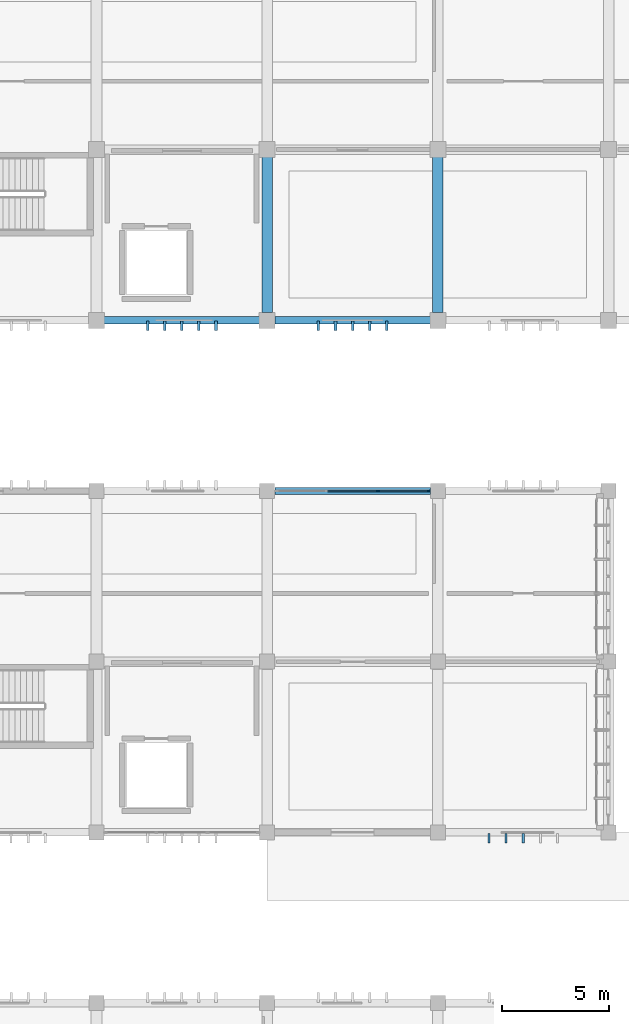
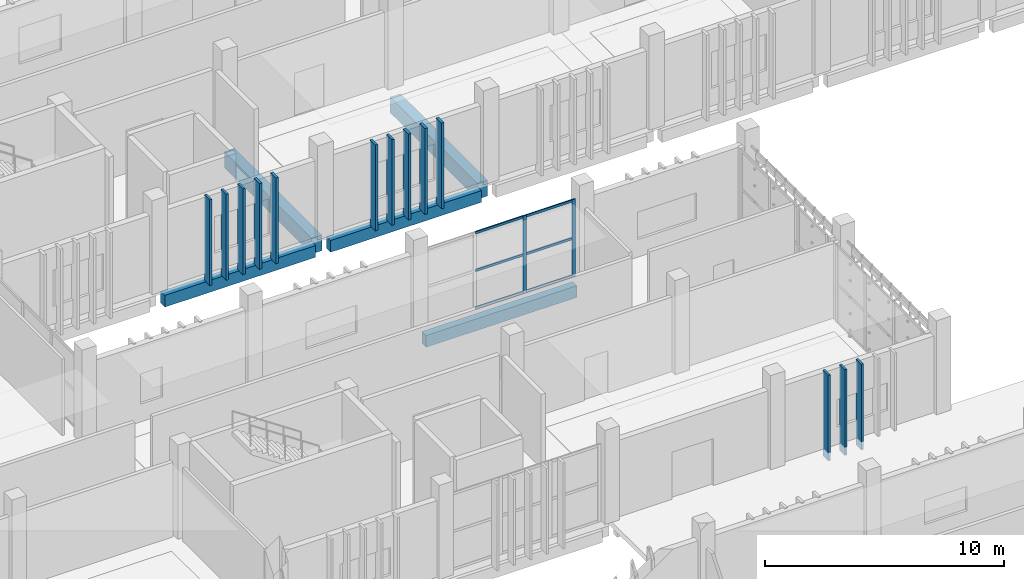
# One storey, part 43 of 117: 21 members, 5 beams, 1 element without a shape of its own.
"""IFC4 building model written with IfcOpenShell, lengths in metres."""

from ifc_helpers import new_model, si_unit, direction, frame, origin, origin_2d, place, context, subcontext, project, spatial, rectangle, extrude, material, layer, layer_set, material_profile, profile_set, type_object, element, aggregate, save


model = new_model("IFC4")

# Units and contexts
model_context = context("Model", 3, precision=1e-05, world=origin(), true_north=direction((0.0, 1.0)))
body_context = subcontext(model_context, "Body", "Model", "MODEL_VIEW")
ifc_project = project(units=[si_unit("LENGTHUNIT", "METRE"), si_unit("AREAUNIT", "SQUARE_METRE"), si_unit("VOLUMEUNIT", "CUBIC_METRE"), si_unit("PLANEANGLEUNIT", "RADIAN"), si_unit("MASSUNIT", "GRAM", prefix="KILO")], contexts=[model_context])

# Site, building, storey
site_placement = place(None, origin())
site = spatial("IfcSite", under=ifc_project, at=site_placement, CompositionType="ELEMENT")
building_placement = place(site_placement, origin())
building = spatial("IfcBuilding", under=site, at=building_placement, Name="Jelvoka-Kovrelna Polytechnic", CompositionType="ELEMENT")
storey_placement = place(building_placement, origin())
storey = spatial("IfcBuildingStorey", under=building, at=storey_placement, Name="L01", CompositionType="ELEMENT", Elevation=0.0)

# Beams
ifc_material_1 = material(Name="Concrete C40/50", Category="concrete")
ifc_material_profile_1 = material_profile(ifc_material_1, rectangle(XDim=0.5, YDim=0.800048828125, at=origin_2d()), Name="RC 500x800")
ifc_profile_set_1 = profile_set([ifc_material_profile_1], Name="Concrete C40/50")
beam_type_1 = type_object("IfcBeamType", Name="Beam_RC_500x800", PredefinedType="BEAM", material=ifc_profile_set_1)
for number, where, z_axis, x_axis, name in (
    (1, (96.0, 56.35498046875, -0.804931640625), (0.0, 1.0, 0.0), (-1.0, 0.0, 0.0), "L01 beam 0469"),
    (2, (104.0, 56.35498046875, -0.804931640625), (0.0, 1.0, 0.0), (-1.0, 0.0, 0.0), "L01 beam 0471"),
):
    element("IfcBeam", number, at=place(storey_placement, frame(where, z_axis=z_axis, x_axis=x_axis)), inside=storey, type_object=beam_type_1, Name=name, PredefinedType="BEAM", context=body_context, shape_type="SweptSolid", body=[
        extrude(rectangle(XDim=0.5, YDim=0.800048828125, at=origin_2d()), origin(), (0.0, 0.0, 1.0), 7.2900390625),
    ])

# Members
ifc_material_2 = material(Name="Precast concrete C40/50", Category="concrete")
ifc_material_profile_2 = material_profile(ifc_material_2, rectangle(XDim=0.10009765625, YDim=0.449951171875, at=origin_2d()), Name="PC 100x450")
ifc_profile_set_2 = profile_set([ifc_material_profile_2], Name="Precast concrete C40/50")
member_type_1 = type_object("IfcMemberType", Name="Louvre_Fin_100x450", PredefinedType="USERDEFINED", material=ifc_profile_set_2)
for number, where, z_axis, x_axis, name in (
    (3, (106.39990234375, 31.735107421875, -0.419921875), (0.0, 0.0, 1.0), (1.0, 0.0, 0.0), "L01 B2W south vertical solar louvre fin 0591"),
    (4, (107.199951171875, 31.735107421875, -0.419921875), (0.0, 0.0, 1.0), (1.0, 0.0, 0.0), "L01 B2W south vertical solar louvre fin 0592"),
    (5, (108.0, 31.735107421875, -0.419921875), (0.0, 0.0, 1.0), (1.0, 0.0, 0.0), "L01 B2W south vertical solar louvre fin 0593"),
):
    element("IfcMember", number, at=place(storey_placement, frame(where, z_axis=z_axis, x_axis=x_axis)), inside=storey, type_object=member_type_1, Name=name, ObjectType="SUNSHADE", PredefinedType="USERDEFINED", context=body_context, shape_type="SweptSolid", body=[
        extrude(rectangle(XDim=0.10009765625, YDim=0.449951171875, at=origin_2d()), origin(), (0.0, 0.0, 1.0), 4.3798828125),
    ])
ifc_material_3 = material(Name="Precast concrete C40/50", Category="concrete")
ifc_material_profile_3 = material_profile(ifc_material_3, rectangle(XDim=0.1201171875, YDim=0.449951171875, at=origin_2d()), Name="PC 120x450")
ifc_profile_set_3 = profile_set([ifc_material_profile_3], Name="Precast concrete C40/50")
member_type_2 = type_object("IfcMemberType", Name="Louvre_Fin_120x450", PredefinedType="USERDEFINED", material=ifc_profile_set_3)
for number, where, z_axis, x_axis, name in (
    (6, (90.39990234375, 55.735107421875, -0.419921875), (0.0, 0.0, 1.0), (1.0, 0.0, 0.0), "L01 B3 south vertical solar louvre fin 1221"),
    (7, (91.199951171875, 55.735107421875, -0.419921875), (0.0, 0.0, 1.0), (1.0, 0.0, 0.0), "L01 B3 south vertical solar louvre fin 1222"),
    (8, (92.0, 55.735107421875, -0.419921875), (0.0, 0.0, 1.0), (1.0, 0.0, 0.0), "L01 B3 south vertical solar louvre fin 1223"),
    (9, (92.800048828125, 55.735107421875, -0.419921875), (0.0, 0.0, 1.0), (1.0, 0.0, 0.0), "L01 B3 south vertical solar louvre fin 1224"),
    (10, (93.60009765625, 55.735107421875, -0.419921875), (0.0, 0.0, 1.0), (1.0, 0.0, 0.0), "L01 B3 south vertical solar louvre fin 1225"),
    (11, (98.39990234375, 55.735107421875, -0.419921875), (0.0, 0.0, 1.0), (1.0, 0.0, 0.0), "L01 B3 south vertical solar louvre fin 1231"),
    (12, (99.199951171875, 55.735107421875, -0.419921875), (0.0, 0.0, 1.0), (1.0, 0.0, 0.0), "L01 B3 south vertical solar louvre fin 1232"),
    (13, (100.0, 55.735107421875, -0.419921875), (0.0, 0.0, 1.0), (1.0, 0.0, 0.0), "L01 B3 south vertical solar louvre fin 1233"),
    (14, (100.800048828125, 55.735107421875, -0.419921875), (0.0, 0.0, 1.0), (1.0, 0.0, 0.0), "L01 B3 south vertical solar louvre fin 1234"),
    (15, (101.60009765625, 55.735107421875, -0.419921875), (0.0, 0.0, 1.0), (1.0, 0.0, 0.0), "L01 B3 south vertical solar louvre fin 1235"),
):
    element("IfcMember", number, at=place(storey_placement, frame(where, z_axis=z_axis, x_axis=x_axis)), inside=storey, type_object=member_type_2, Name=name, ObjectType="SUNSHADE", PredefinedType="USERDEFINED", context=body_context, shape_type="SweptSolid", body=[
        extrude(rectangle(XDim=0.1201171875, YDim=0.449951171875, at=origin_2d()), origin(), (0.0, 0.0, 1.0), 4.3798828125),
    ])

# Curtain wall, members
ifc_material_4 = material(Name="Anodised aluminium 6063-T6", Category="aluminium")
ifc_layer = layer(ifc_material_4, 0.159912109375)
ifc_layer_set = layer_set([ifc_layer], Name="Anodised aluminium 6063-T6")
curtain_wall_type = type_object("IfcCurtainWallType", Name="CW_Recessed_A", PredefinedType="NOTDEFINED", material=ifc_layer_set)
curtain_wall_placement = place(storey_placement, origin())
curtain_wall = element("IfcCurtainWall", 16, at=curtain_wall_placement, inside=storey, type_object=curtain_wall_type, Name="L01 glazed curtain wall 012", PredefinedType="NOTDEFINED")
ifc_material_5 = material(Name="Anodised aluminium 6063-T6", Category="aluminium")
ifc_material_profile_4 = material_profile(ifc_material_5, rectangle(XDim=0.06005859375, YDim=0.159912109375, at=origin_2d()), Name="ALU 60x160")
ifc_profile_set_4 = profile_set([ifc_material_profile_4], Name="Anodised aluminium 6063-T6")
member_type_3 = type_object("IfcMemberType", Name="Mullion_M-01", PredefinedType="MULLION", material=ifc_profile_set_4)
member_1_placement = place(storey_placement, frame((101.199951171875, 48.0, -0.02490234375), z_axis=(0.0, 0.0, 1.0), x_axis=(0.0, 1.0, 0.0)))
member_1 = element("IfcMember", 17, at=member_1_placement, type_object=member_type_3, Name="CW-01 mullion 3", PredefinedType="MULLION", context=body_context, shape_type="SweptSolid", body=[
    extrude(rectangle(XDim=0.06005859375, YDim=0.159912109375, at=origin_2d()), origin(), (0.0, 0.0, 1.0), 3.9599609375),
])
member_2_placement = place(storey_placement, frame((103.570068359375, 48.0, -0.02490234375), z_axis=(0.0, 0.0, 1.0), x_axis=(0.0, 1.0, 0.0)))
member_2 = element("IfcMember", 18, at=member_2_placement, type_object=member_type_3, Name="CW-01 mullion 4", PredefinedType="MULLION", context=body_context, shape_type="SweptSolid", body=[
    extrude(rectangle(XDim=0.06005859375, YDim=0.159912109375, at=origin_2d()), origin(), (0.0, 0.0, 1.0), 3.9599609375),
])

# Beams
ifc_material_6 = material(Name="Concrete C40/50", Category="concrete")
ifc_material_profile_5 = material_profile(ifc_material_6, rectangle(XDim=0.35009765625, YDim=0.60009765625, at=origin_2d()), Name="RC 350x600")
ifc_profile_set_5 = profile_set([ifc_material_profile_5], Name="Concrete C40/50")
beam_type_2 = type_object("IfcBeamType", Name="Spandrel_RC_350x600", PredefinedType="SPANDREL", material=ifc_profile_set_5)
for number, where, z_axis, x_axis, name in (
    (19, (96.35498046875, 48.0, -0.705078125), (1.0, 0.0, 0.0), (0.0, 1.0, 0.0), "L01 beam 0384"),
    (20, (88.35498046875, 56.0, -0.705078125), (1.0, 0.0, 0.0), (0.0, 1.0, 0.0), "L01 beam 0447"),
    (21, (96.35498046875, 56.0, -0.705078125), (1.0, 0.0, 0.0), (0.0, 1.0, 0.0), "L01 beam 0448"),
):
    element("IfcBeam", number, at=place(storey_placement, frame(where, z_axis=z_axis, x_axis=x_axis)), inside=storey, type_object=beam_type_2, Name=name, PredefinedType="SPANDREL", context=body_context, shape_type="SweptSolid", body=[
        extrude(rectangle(XDim=0.35009765625, YDim=0.60009765625, at=origin_2d()), origin(), (0.0, 0.0, 1.0), 7.2900390625),
    ])

# Member
ifc_material_7 = material(Name="Anodised aluminium 6063-T6", Category="aluminium")
ifc_material_profile_6 = material_profile(ifc_material_7, rectangle(XDim=0.06005859375, YDim=0.1201171875, at=origin_2d()), Name="ALU 60x120")
ifc_profile_set_6 = profile_set([ifc_material_profile_6], Name="Anodised aluminium 6063-T6")
member_type_4 = type_object("IfcMemberType", Name="Transom_T-01", PredefinedType="USERDEFINED", material=ifc_profile_set_6)
member_3_placement = place(storey_placement, frame((98.830078125, 48.0, 0.030029296875), z_axis=(1.0, 0.0, 0.0), x_axis=(0.0, 1.0, 0.0)))
member_3 = element("IfcMember", 22, at=member_3_placement, type_object=member_type_4, Name="CW-01 transom 2.1", ObjectType="TRANSOM", PredefinedType="USERDEFINED", context=body_context, shape_type="SweptSolid", body=[
    extrude(rectangle(XDim=0.06005859375, YDim=0.1201171875, at=origin_2d()), origin(), (0.0, 0.0, 1.0), 2.33984375),
])

member_4_placement = place(storey_placement, frame((98.830078125, 48.0, 1.955078125), z_axis=(1.0, 0.0, 0.0), x_axis=(0.0, 1.0, 0.0)))
member_4 = element("IfcMember", 23, at=member_4_placement, type_object=member_type_4, Name="CW-01 transom 2.2", ObjectType="TRANSOM", PredefinedType="USERDEFINED", context=body_context, shape_type="SweptSolid", body=[
    extrude(rectangle(XDim=0.06005859375, YDim=0.1201171875, at=origin_2d()), origin(), (0.0, 0.0, 1.0), 2.33984375),
])

member_5_placement = place(storey_placement, frame((98.830078125, 48.0, 3.8798828125), z_axis=(1.0, 0.0, 0.0), x_axis=(0.0, 1.0, 0.0)))
member_5 = element("IfcMember", 24, at=member_5_placement, type_object=member_type_4, Name="CW-01 transom 2.3", ObjectType="TRANSOM", PredefinedType="USERDEFINED", context=body_context, shape_type="SweptSolid", body=[
    extrude(rectangle(XDim=0.06005859375, YDim=0.1201171875, at=origin_2d()), origin(), (0.0, 0.0, 1.0), 2.33984375),
])

member_6_placement = place(storey_placement, frame((101.22998046875, 48.0, 0.030029296875), z_axis=(1.0, 0.0, 0.0), x_axis=(0.0, 1.0, 0.0)))
member_6 = element("IfcMember", 25, at=member_6_placement, type_object=member_type_4, Name="CW-01 transom 3.1", ObjectType="TRANSOM", PredefinedType="USERDEFINED", context=body_context, shape_type="SweptSolid", body=[
    extrude(rectangle(XDim=0.06005859375, YDim=0.1201171875, at=origin_2d()), origin(), (0.0, 0.0, 1.0), 2.31005859375),
])

member_7_placement = place(storey_placement, frame((101.22998046875, 48.0, 1.955078125), z_axis=(1.0, 0.0, 0.0), x_axis=(0.0, 1.0, 0.0)))
member_7 = element("IfcMember", 26, at=member_7_placement, type_object=member_type_4, Name="CW-01 transom 3.2", ObjectType="TRANSOM", PredefinedType="USERDEFINED", context=body_context, shape_type="SweptSolid", body=[
    extrude(rectangle(XDim=0.06005859375, YDim=0.1201171875, at=origin_2d()), origin(), (0.0, 0.0, 1.0), 2.31005859375),
])

member_8_placement = place(storey_placement, frame((101.22998046875, 48.0, 3.8798828125), z_axis=(1.0, 0.0, 0.0), x_axis=(0.0, 1.0, 0.0)))
member_8 = element("IfcMember", 27, at=member_8_placement, type_object=member_type_4, Name="CW-01 transom 3.3", ObjectType="TRANSOM", PredefinedType="USERDEFINED", context=body_context, shape_type="SweptSolid", body=[
    extrude(rectangle(XDim=0.06005859375, YDim=0.1201171875, at=origin_2d()), origin(), (0.0, 0.0, 1.0), 2.31005859375),
])

aggregate(curtain_wall, [member_1, member_2, member_3, member_4, member_5, member_6, member_7, member_8])

save(model, "model.ifc")
